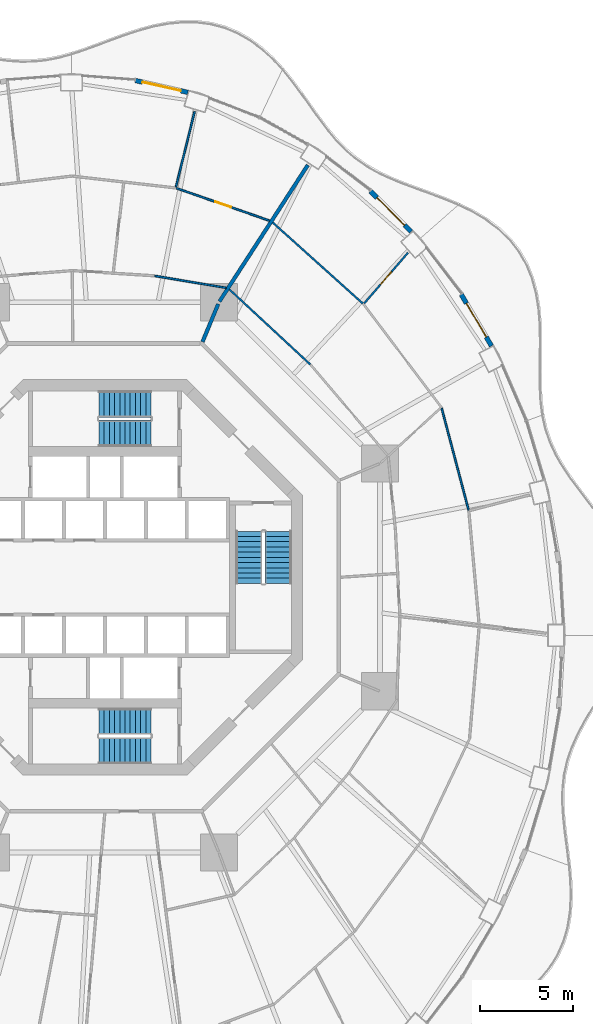
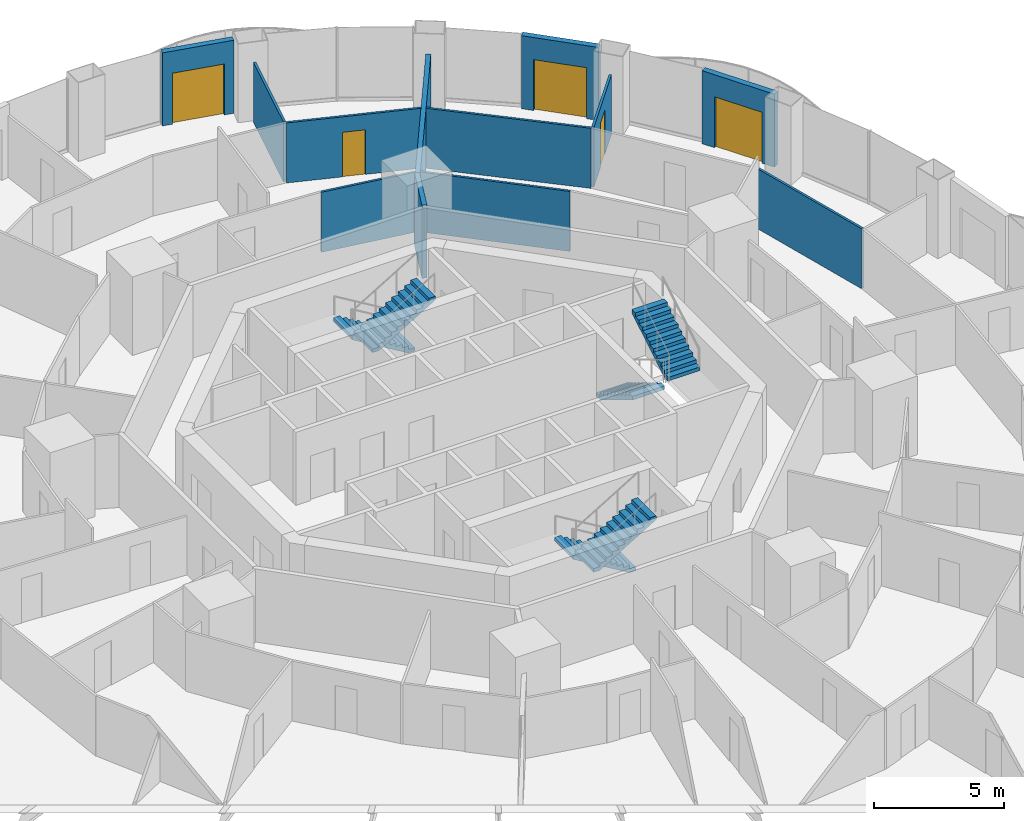
# One storey, part 17 of 20: 12 walls, 6 stair flights, 5 doors, 5 openings, 3 elements without a shape of their own.
"""IFC4 building model written with IfcOpenShell, lengths in metres."""

from ifc_helpers import new_model, si_unit, direction, frame, frame_2d, origin, place, context, subcontext, project, spatial, polyline, rectangle, outline, extrude, material, layer, layer_set, type_object, element, fill, aggregate, save


model = new_model("IFC4")

# Units and contexts
model_context = context("Model", 3, precision=1e-05, world=origin(), true_north=direction((0.0, 1.0)))
body_context = subcontext(model_context, "Body", "Model", "MODEL_VIEW")
ifc_project = project(units=[si_unit("LENGTHUNIT", "METRE"), si_unit("AREAUNIT", "SQUARE_METRE"), si_unit("VOLUMEUNIT", "CUBIC_METRE"), si_unit("PLANEANGLEUNIT", "RADIAN"), si_unit("MASSUNIT", "GRAM", prefix="KILO")], contexts=[model_context])

# Site, building, storey
site_placement = place(None, origin())
site = spatial("IfcSite", under=ifc_project, at=site_placement, CompositionType="ELEMENT")
building_placement = place(site_placement, origin())
building = spatial("IfcBuilding", under=site, at=building_placement, Name="Nagisa Residences", CompositionType="ELEMENT")
storey_placement = place(building_placement, frame((0.0, 0.0, 145.5)))
storey = spatial("IfcBuildingStorey", under=building, at=storey_placement, Name="L36", CompositionType="ELEMENT", Elevation=145.5)

# Walls
ifc_material_1 = material(Name="Gypsum board on steel studs", Category="steel")
ifc_layer_1 = layer(ifc_material_1, 0.199951171875)
ifc_layer_set_1 = layer_set([ifc_layer_1], Name="Apartment compartment wall EI60 200")
wall_type_1 = type_object("IfcWallType", Name="Apartment compartment wall EI60 200", PredefinedType="PARTITIONING", material=ifc_layer_set_1)
wall_1_placement = place(storey_placement, frame((5.24267578125, 12.6572265625, 0.0), z_axis=(0.0, 0.0, 1.0), x_axis=(0.38273085373, 0.923859888513, 0.0)))
element("IfcWall", 1, at=wall_1_placement, inside=storey, type_object=wall_type_1, Name="wall:L36:u00", PredefinedType="PARTITIONING", context=body_context, shape_type="SweptSolid", body=[
    extrude(rectangle(XDim=2.199462890625, YDim=0.199951171875, at=frame_2d((1.099609375, 0.0))), origin(), (0.0, 0.0, 1.0), 3.43994140625),
])
wall_2_placement = place(storey_placement, frame((6.150146484375, 14.823974609375, 0.0), z_axis=(0.0, 0.0, 1.0), x_axis=(0.543695254109, 0.839282711998, 0.0)))
element("IfcWall", 2, at=wall_2_placement, inside=storey, type_object=wall_type_1, Name="wall:L36:u01", PredefinedType="PARTITIONING", context=body_context, shape_type="SweptSolid", body=[
    extrude(rectangle(XDim=8.731201171875, YDim=0.199951171875, at=frame_2d((4.36572265625, 0.0))), origin(), (0.0, 0.0, 1.0), 2.827880859375),
])
ifc_material_2 = material(Name="Gypsum board on steel studs", Category="steel")
ifc_layer_2 = layer(ifc_material_2, 0.10009765625)
ifc_layer_set_2 = layer_set([ifc_layer_2], Name="Apartment partition 100")
wall_type_2 = type_object("IfcWallType", Name="Apartment partition 100", PredefinedType="PARTITIONING", material=ifc_layer_set_2)
wall_3_placement = place(storey_placement, frame((19.536865234375, 3.619873046875, 0.0), z_axis=(0.0, 0.0, 1.0), x_axis=(-0.255892560316, 0.966705227862, 0.0)))
element("IfcWall", 3, at=wall_3_placement, inside=storey, type_object=wall_type_2, Name="wall:L36:u20", PredefinedType="PARTITIONING", context=body_context, shape_type="SweptSolid", body=[
    extrude(rectangle(XDim=5.65869140625, YDim=0.10009765625, at=frame_2d((2.829345703125, 0.0))), origin(), (0.0, 0.0, 1.0), 2.827880859375),
])
wall_4_placement = place(storey_placement, frame((11.029052734375, 11.44287109375, 0.0), z_axis=(0.0, 0.0, 1.0), x_axis=(-0.733113447346, 0.680106369122, 0.0)))
element("IfcWall", 4, at=wall_4_placement, inside=storey, type_object=wall_type_2, Name="wall:L36:u25", PredefinedType="PARTITIONING", context=body_context, shape_type="SweptSolid", body=[
    extrude(rectangle(XDim=5.923095703125, YDim=0.10009765625, at=frame_2d((2.96142578125, 0.0))), origin(), (0.0, 0.0, 1.0), 2.827880859375),
])

# Wall, opening, door
wall_5_placement = place(storey_placement, frame((13.926025390625, 14.71875, 0.0), z_axis=(0.0, 0.0, 1.0), x_axis=(0.653831857253, 0.756639876323, 0.0)))
wall_5 = element("IfcWall", 5, at=wall_5_placement, inside=storey, type_object=wall_type_2, Name="wall:L36:u26", PredefinedType="PARTITIONING", context=body_context, shape_type="SweptSolid", body=[
    extrude(rectangle(XDim=3.59765625, YDim=0.10009765625, at=frame_2d((1.798828125, 0.0))), origin(), (0.0, 0.0, 1.0), 2.827880859375),
])
opening_1_placement = place(wall_5_placement, frame((1.348876953125, 0.0, 0.0)))
opening_1 = element("IfcOpeningElement", 6, at=opening_1_placement, cuts=wall_5, Name="Opening L36-U19", PredefinedType="OPENING", context=body_context, shape_type="SweptSolid", body=[
    extrude(rectangle(XDim=0.89990234375, YDim=2.10009765625, at=frame_2d((0.449951171875, 1.050048828125))), frame((0.0, 0.06005859375, 0.0), z_axis=(0.0, -1.0, 0.0), x_axis=(1.0, 0.0, 0.0)), (0.0, 0.0, 1.0), 0.1201171875),
])
ifc_material_3 = material(Name="Timber door set", Category="wood")
door_type_1 = type_object("IfcDoorType", Name="Apartment door 900x2100", OperationType="NOTDEFINED", PredefinedType="DOOR", material=ifc_material_3)
door_1_placement = place(opening_1_placement, origin())
door_1 = element("IfcDoor", 7, at=door_1_placement, inside=storey, type_object=door_type_1, Name="Door to bedroom, Apartment 36A", OperationType="SINGLE_SWING_LEFT", OverallHeight=2.10009765625, OverallWidth=0.89990234375, PredefinedType="DOOR", context=body_context, shape_type="SweptSolid", body=[
    extrude(rectangle(XDim=0.89990234375, YDim=2.10009765625, at=frame_2d((0.449951171875, 1.050048828125))), frame((0.0, 0.02490234375, 0.0), z_axis=(0.0, -1.0, 0.0), x_axis=(1.0, 0.0, 0.0)), (0.0, 0.0, 1.0), 0.050048828125),
])
fill(opening_1, door_1)

# Walls
wall_6_placement = place(storey_placement, frame((13.856201171875, 14.71435546875, 0.0), z_axis=(0.0, 0.0, 1.0), x_axis=(-0.743799395746, 0.668402916577, 0.0)))
element("IfcWall", 8, at=wall_6_placement, inside=storey, type_object=wall_type_2, Name="wall:L36:u27", PredefinedType="PARTITIONING", context=body_context, shape_type="SweptSolid", body=[
    extrude(rectangle(XDim=6.508544921875, YDim=0.10009765625, at=frame_2d((3.25439453125, 0.0))), origin(), (0.0, 0.0, 1.0), 2.827880859375),
])
wall_7_placement = place(storey_placement, frame((6.5146484375, 15.5556640625, 0.0), z_axis=(0.0, 0.0, 1.0), x_axis=(-0.986271328884, 0.16513287323, 0.0)))
element("IfcWall", 9, at=wall_7_placement, inside=storey, type_object=wall_type_2, Name="wall:L36:u28", PredefinedType="PARTITIONING", context=body_context, shape_type="SweptSolid", body=[
    extrude(rectangle(XDim=3.8837890625, YDim=0.10009765625, at=frame_2d((1.94189453125, 0.0))), origin(), (0.0, 0.0, 1.0), 2.827880859375),
])

# Wall, opening, door
wall_8_placement = place(storey_placement, frame((8.84619140625, 19.16455078125, 0.0), z_axis=(0.0, 0.0, 1.0), x_axis=(-0.944186503813, 0.329411362915, 0.0)))
wall_8 = element("IfcWall", 10, at=wall_8_placement, inside=storey, type_object=wall_type_2, Name="wall:L36:u29", PredefinedType="PARTITIONING", context=body_context, shape_type="SweptSolid", body=[
    extrude(rectangle(XDim=5.293212890625, YDim=0.10009765625, at=frame_2d((2.646484375, 0.0))), origin(), (0.0, 0.0, 1.0), 2.827880859375),
])
opening_2_placement = place(wall_8_placement, frame((2.196533203125, 0.0, 0.0)))
opening_2 = element("IfcOpeningElement", 11, at=opening_2_placement, cuts=wall_8, Name="Opening L36-U48", PredefinedType="OPENING", context=body_context, shape_type="SweptSolid", body=[
    extrude(rectangle(XDim=0.89990234375, YDim=2.10009765625, at=frame_2d((0.449951171875, 1.050048828125))), frame((0.0, 0.06005859375, 0.0), z_axis=(0.0, -1.0, 0.0), x_axis=(1.0, 0.0, 0.0)), (0.0, 0.0, 1.0), 0.1201171875),
])
door_2_placement = place(opening_2_placement, frame((0.89990234375, 0.0, 0.0), x_axis=(-1.0, 0.0, 0.0)))
door_2 = element("IfcDoor", 12, at=door_2_placement, inside=storey, type_object=door_type_1, Name="Door to tatami room, Apartment 36B", OperationType="SINGLE_SWING_LEFT", OverallHeight=2.10009765625, OverallWidth=0.89990234375, PredefinedType="DOOR", context=body_context, shape_type="SweptSolid", body=[
    extrude(rectangle(XDim=0.89990234375, YDim=2.10009765625, at=frame_2d((0.449951171875, 1.050048828125))), frame((0.0, 0.02490234375, 0.0), z_axis=(0.0, -1.0, 0.0), x_axis=(1.0, 0.0, 0.0)), (0.0, 0.0, 1.0), 0.050048828125),
])
fill(opening_2, door_2)

# Wall
wall_9_placement = place(storey_placement, frame((3.813232421875, 20.97314453125, 0.0), z_axis=(0.0, 0.0, 1.0), x_axis=(0.239977551632, 0.970778437499, 0.0)))
element("IfcWall", 13, at=wall_9_placement, inside=storey, type_object=wall_type_2, Name="wall:L36:u31", PredefinedType="PARTITIONING", context=body_context, shape_type="SweptSolid", body=[
    extrude(rectangle(XDim=4.17822265625, YDim=0.10009765625, at=frame_2d((2.089111328125, 0.0))), origin(), (0.0, 0.0, 1.0), 2.827880859375),
])

# Wall, opening, door
ifc_material_4 = material(Name="Precast concrete C40/50", Category="concrete")
ifc_layer_3 = layer(ifc_material_4, 0.25)
ifc_layer_set_3 = layer_set([ifc_layer_3], Name="BALCONY DOOR WALL 250")
wall_type_3 = type_object("IfcWallType", Name="BALCONY DOOR WALL 250", PredefinedType="SOLIDWALL", material=ifc_layer_set_3)
wall_10_placement = place(storey_placement, frame((19.143798828125, 15.20068359375, 0.0), z_axis=(0.0, 0.0, 1.0), x_axis=(0.506314982873, -0.862348617508, 0.0)))
wall_10 = element("IfcWall", 14, at=wall_10_placement, inside=storey, type_object=wall_type_3, Name="wall:L36:bay04", PredefinedType="SOLIDWALL", context=body_context, shape_type="SweptSolid", body=[
    extrude(rectangle(XDim=3.20849609375, YDim=0.25, at=frame_2d((1.604248046875, 0.0))), origin(), (0.0, 0.0, 1.0), 3.43994140625),
])
opening_3_placement = place(wall_10_placement, frame((0.55419921875, 0.0, 0.0)))
opening_3 = element("IfcOpeningElement", 15, at=opening_3_placement, cuts=wall_10, Name="Opening BD-L36-02", PredefinedType="OPENING", context=body_context, shape_type="SweptSolid", body=[
    extrude(rectangle(XDim=2.10009765625, YDim=2.39990234375, at=frame_2d((1.050048828125, 1.199951171875))), frame((0.0, 0.135009765625, 0.0), z_axis=(0.0, -1.0, 0.0), x_axis=(1.0, 0.0, 0.0)), (0.0, 0.0, 1.0), 0.27001953125),
])
ifc_material_5 = material(Name="Aluminium and clear glass", Category="aluminium")
door_type_2 = type_object("IfcDoorType", Name="BALCONY SLIDING DOOR 2100x2400", OperationType="SLIDING_TO_LEFT", PredefinedType="DOOR", material=ifc_material_5)
door_3_placement = place(opening_3_placement, origin())
door_3 = element("IfcDoor", 16, at=door_3_placement, inside=storey, type_object=door_type_2, Name="door:L36:bay04", OperationType="SLIDING_TO_LEFT", OverallHeight=2.39990234375, OverallWidth=2.10009765625, PredefinedType="DOOR", context=body_context, shape_type="SweptSolid", body=[
    extrude(rectangle(XDim=2.10009765625, YDim=2.39990234375, at=frame_2d((1.050048828125, 1.199951171875))), frame((0.0, 0.02490234375, 0.0), z_axis=(0.0, -1.0, 0.0), x_axis=(1.0, 0.0, 0.0)), (0.0, 0.0, 1.0), 0.050048828125),
])
fill(opening_3, door_3)

wall_11_placement = place(storey_placement, frame((14.26513671875, 20.7490234375, 0.0), z_axis=(0.0, 0.0, 1.0), x_axis=(0.70789728551, -0.706315392135, 0.0)))
wall_11 = element("IfcWall", 17, at=wall_11_placement, inside=storey, type_object=wall_type_3, Name="wall:L36:bay06", PredefinedType="SOLIDWALL", context=body_context, shape_type="SweptSolid", body=[
    extrude(rectangle(XDim=3.086669921875, YDim=0.25, at=frame_2d((1.54345703125, 0.0))), origin(), (0.0, 0.0, 1.0), 3.43994140625),
])
opening_4_placement = place(wall_11_placement, frame((0.493408203125, 0.0, 0.0)))
opening_4 = element("IfcOpeningElement", 18, at=opening_4_placement, cuts=wall_11, Name="Opening BD-L36-03", PredefinedType="OPENING", context=body_context, shape_type="SweptSolid", body=[
    extrude(rectangle(XDim=2.10009765625, YDim=2.39990234375, at=frame_2d((1.050048828125, 1.199951171875))), frame((0.0, 0.135009765625, 0.0), z_axis=(0.0, -1.0, 0.0), x_axis=(1.0, 0.0, 0.0)), (0.0, 0.0, 1.0), 0.27001953125),
])
door_4_placement = place(opening_4_placement, origin())
door_4 = element("IfcDoor", 19, at=door_4_placement, inside=storey, type_object=door_type_2, Name="door:L36:bay06", OperationType="SLIDING_TO_LEFT", OverallHeight=2.39990234375, OverallWidth=2.10009765625, PredefinedType="DOOR", context=body_context, shape_type="SweptSolid", body=[
    extrude(rectangle(XDim=2.10009765625, YDim=2.39990234375, at=frame_2d((1.050048828125, 1.199951171875))), frame((0.0, 0.02490234375, 0.0), z_axis=(0.0, -1.0, 0.0), x_axis=(1.0, 0.0, 0.0)), (0.0, 0.0, 1.0), 0.050048828125),
])
fill(opening_4, door_4)

wall_12_placement = place(storey_placement, frame((1.635986328125, 26.697021484375, 0.0), z_axis=(0.0, 0.0, 1.0), x_axis=(0.975339035722, -0.220711951186, 0.0)))
wall_12 = element("IfcWall", 20, at=wall_12_placement, inside=storey, type_object=wall_type_3, Name="wall:L36:bay10", PredefinedType="SOLIDWALL", context=body_context, shape_type="SweptSolid", body=[
    extrude(rectangle(XDim=2.890380859375, YDim=0.25, at=frame_2d((1.4453125, 0.0))), origin(), (0.0, 0.0, 1.0), 3.43994140625),
])
opening_5_placement = place(wall_12_placement, frame((0.395263671875, 0.0, 0.0)))
opening_5 = element("IfcOpeningElement", 21, at=opening_5_placement, cuts=wall_12, Name="Opening BD-L36-04", PredefinedType="OPENING", context=body_context, shape_type="SweptSolid", body=[
    extrude(rectangle(XDim=2.10009765625, YDim=2.39990234375, at=frame_2d((1.050048828125, 1.199951171875))), frame((0.0, 0.135009765625, 0.0), z_axis=(0.0, -1.0, 0.0), x_axis=(1.0, 0.0, 0.0)), (0.0, 0.0, 1.0), 0.27001953125),
])
door_5_placement = place(opening_5_placement, origin())
door_5 = element("IfcDoor", 22, at=door_5_placement, inside=storey, type_object=door_type_2, Name="door:L36:bay10", OperationType="SLIDING_TO_LEFT", OverallHeight=2.39990234375, OverallWidth=2.10009765625, PredefinedType="DOOR", context=body_context, shape_type="SweptSolid", body=[
    extrude(rectangle(XDim=2.10009765625, YDim=2.39990234375, at=frame_2d((1.050048828125, 1.199951171875))), frame((0.0, 0.02490234375, 0.0), z_axis=(0.0, -1.0, 0.0), x_axis=(1.0, 0.0, 0.0)), (0.0, 0.0, 1.0), 0.050048828125),
])
fill(opening_5, door_5)

# Stair, stair flights
ifc_material_6 = material(Name="Concrete C60", Category="concrete")
stair_type = type_object("IfcStairType", Name="Exit stair", PredefinedType="HALF_TURN_STAIR", material=ifc_material_6)
stair_1_placement = place(storey_placement, origin())
stair_1 = element("IfcStair", 23, at=stair_1_placement, inside=storey, type_object=stair_type, Name="L36 Exit stair E", PredefinedType="HALF_TURN_STAIR")
ifc_material_7 = material(Name="Concrete C60", Category="concrete")
stair_flight_type = type_object("IfcStairFlightType", Name="Exit stair flight", PredefinedType="STRAIGHT", material=ifc_material_7)
stair_flight_1_placement = place(storey_placement, frame((7.737060546875, 2.47509765625, 0.0), z_axis=(0.0, 0.0, 1.0), x_axis=(0.0, -1.0, 0.0)))
stair_flight_1 = element("IfcStairFlight", 24, at=stair_flight_1_placement, type_object=stair_flight_type, Name="ST-E flight 1", NumberOfRisers=11, NumberOfTreads=10, PredefinedType="STRAIGHT", RiserHeight=0.168181818, TreadLength=0.28, context=body_context, shape_type="SweptSolid", body=[
    extrude(outline(polyline([(0.0, 0.0), (0.0, 0.168212890625), (0.280029296875, 0.168212890625), (0.280029296875, 0.33642578125), (0.56005859375, 0.33642578125), (0.56005859375, 0.504638671875), (0.840087890625, 0.504638671875), (0.840087890625, 0.672607421875), (1.1201171875, 0.672607421875), (1.1201171875, 0.8408203125), (1.39990234375, 0.8408203125), (1.39990234375, 1.009033203125), (1.679931640625, 1.009033203125), (1.679931640625, 1.17724609375), (1.9599609375, 1.17724609375), (1.9599609375, 1.345458984375), (2.239990234375, 1.345458984375), (2.239990234375, 1.513671875), (2.52001953125, 1.513671875), (2.52001953125, 1.681884765625), (2.800048828125, 1.681884765625), (2.800048828125, 1.85009765625), (2.800048828125, 1.5068359375), (0.291015625, 0.0), (0.0, 0.0)])), frame((0.0, 0.71240234375, 0.0), z_axis=(0.0, -1.0, 0.0), x_axis=(1.0, 0.0, 0.0)), (0.0, 0.0, 1.0), 1.425048828125),
])
stair_flight_2_placement = place(storey_placement, frame((9.31201171875, -0.324951171875, 1.85009765625), z_axis=(0.0, 0.0, 1.0), x_axis=(0.0, 1.0, 0.0)))
stair_flight_2 = element("IfcStairFlight", 25, at=stair_flight_2_placement, type_object=stair_flight_type, Name="ST-E flight 2", NumberOfRisers=11, NumberOfTreads=10, PredefinedType="STRAIGHT", RiserHeight=0.168181818, TreadLength=0.28, context=body_context, shape_type="SweptSolid", body=[
    extrude(outline(polyline([(0.0, 0.0), (0.0, 0.168212890625), (0.280029296875, 0.168212890625), (0.280029296875, 0.33642578125), (0.56005859375, 0.33642578125), (0.56005859375, 0.504638671875), (0.840087890625, 0.504638671875), (0.840087890625, 0.672607421875), (1.1201171875, 0.672607421875), (1.1201171875, 0.8408203125), (1.39990234375, 0.8408203125), (1.39990234375, 1.009033203125), (1.679931640625, 1.009033203125), (1.679931640625, 1.17724609375), (1.9599609375, 1.17724609375), (1.9599609375, 1.345458984375), (2.239990234375, 1.345458984375), (2.239990234375, 1.513671875), (2.52001953125, 1.513671875), (2.52001953125, 1.681884765625), (2.800048828125, 1.681884765625), (2.800048828125, 1.85009765625), (2.800048828125, 1.5068359375), (0.291015625, 0.0), (0.0, 0.0)])), frame((0.0, 0.71240234375, 0.0), z_axis=(0.0, -1.0, 0.0), x_axis=(1.0, 0.0, 0.0)), (0.0, 0.0, 1.0), 1.425048828125),
])
aggregate(stair_1, [stair_flight_1, stair_flight_2])

stair_2_placement = place(storey_placement, origin())
stair_2 = element("IfcStair", 26, at=stair_2_placement, inside=storey, type_object=stair_type, Name="L36 Exit stair N", PredefinedType="HALF_TURN_STAIR")
stair_flight_3_placement = place(storey_placement, frame((2.47509765625, 9.31201171875, 0.0), z_axis=(0.0, 0.0, 1.0), x_axis=(-1.0, 0.0, 0.0)))
stair_flight_3 = element("IfcStairFlight", 27, at=stair_flight_3_placement, type_object=stair_flight_type, Name="ST-N flight 1", NumberOfRisers=11, NumberOfTreads=10, PredefinedType="STRAIGHT", RiserHeight=0.168181818, TreadLength=0.28, context=body_context, shape_type="SweptSolid", body=[
    extrude(outline(polyline([(0.0, 0.0), (0.0, 0.168212890625), (0.280029296875, 0.168212890625), (0.280029296875, 0.33642578125), (0.56005859375, 0.33642578125), (0.56005859375, 0.504638671875), (0.840087890625, 0.504638671875), (0.840087890625, 0.672607421875), (1.1201171875, 0.672607421875), (1.1201171875, 0.8408203125), (1.39990234375, 0.8408203125), (1.39990234375, 1.009033203125), (1.679931640625, 1.009033203125), (1.679931640625, 1.17724609375), (1.9599609375, 1.17724609375), (1.9599609375, 1.345458984375), (2.239990234375, 1.345458984375), (2.239990234375, 1.513671875), (2.52001953125, 1.513671875), (2.52001953125, 1.681884765625), (2.800048828125, 1.681884765625), (2.800048828125, 1.85009765625), (2.800048828125, 1.5068359375), (0.291015625, 0.0), (0.0, 0.0)])), frame((0.0, 0.71240234375, 0.0), z_axis=(0.0, -1.0, 0.0), x_axis=(1.0, 0.0, 0.0)), (0.0, 0.0, 1.0), 1.425048828125),
])
stair_flight_4_placement = place(storey_placement, frame((-0.324951171875, 7.737060546875, 1.85009765625), z_axis=(0.0, 0.0, 1.0), x_axis=(1.0, 0.0, 0.0)))
stair_flight_4 = element("IfcStairFlight", 28, at=stair_flight_4_placement, type_object=stair_flight_type, Name="ST-N flight 2", NumberOfRisers=11, NumberOfTreads=10, PredefinedType="STRAIGHT", RiserHeight=0.168181818, TreadLength=0.28, context=body_context, shape_type="SweptSolid", body=[
    extrude(outline(polyline([(0.0, 0.0), (0.0, 0.168212890625), (0.280029296875, 0.168212890625), (0.280029296875, 0.33642578125), (0.56005859375, 0.33642578125), (0.56005859375, 0.504638671875), (0.840087890625, 0.504638671875), (0.840087890625, 0.672607421875), (1.1201171875, 0.672607421875), (1.1201171875, 0.8408203125), (1.39990234375, 0.8408203125), (1.39990234375, 1.009033203125), (1.679931640625, 1.009033203125), (1.679931640625, 1.17724609375), (1.9599609375, 1.17724609375), (1.9599609375, 1.345458984375), (2.239990234375, 1.345458984375), (2.239990234375, 1.513671875), (2.52001953125, 1.513671875), (2.52001953125, 1.681884765625), (2.800048828125, 1.681884765625), (2.800048828125, 1.85009765625), (2.800048828125, 1.5068359375), (0.291015625, 0.0), (0.0, 0.0)])), frame((0.0, 0.71240234375, 0.0), z_axis=(0.0, -1.0, 0.0), x_axis=(1.0, 0.0, 0.0)), (0.0, 0.0, 1.0), 1.425048828125),
])
aggregate(stair_2, [stair_flight_3, stair_flight_4])

stair_3_placement = place(storey_placement, origin())
stair_3 = element("IfcStair", 29, at=stair_3_placement, inside=storey, type_object=stair_type, Name="L36 Exit stair S", PredefinedType="HALF_TURN_STAIR")
stair_flight_5_placement = place(storey_placement, frame((2.47509765625, -7.737060546875, 0.0), z_axis=(0.0, 0.0, 1.0), x_axis=(-1.0, 0.0, 0.0)))
stair_flight_5 = element("IfcStairFlight", 30, at=stair_flight_5_placement, type_object=stair_flight_type, Name="ST-S flight 1", NumberOfRisers=11, NumberOfTreads=10, PredefinedType="STRAIGHT", RiserHeight=0.168181818, TreadLength=0.28, context=body_context, shape_type="SweptSolid", body=[
    extrude(outline(polyline([(0.0, 0.0), (0.0, 0.168212890625), (0.280029296875, 0.168212890625), (0.280029296875, 0.33642578125), (0.56005859375, 0.33642578125), (0.56005859375, 0.504638671875), (0.840087890625, 0.504638671875), (0.840087890625, 0.672607421875), (1.1201171875, 0.672607421875), (1.1201171875, 0.8408203125), (1.39990234375, 0.8408203125), (1.39990234375, 1.009033203125), (1.679931640625, 1.009033203125), (1.679931640625, 1.17724609375), (1.9599609375, 1.17724609375), (1.9599609375, 1.345458984375), (2.239990234375, 1.345458984375), (2.239990234375, 1.513671875), (2.52001953125, 1.513671875), (2.52001953125, 1.681884765625), (2.800048828125, 1.681884765625), (2.800048828125, 1.85009765625), (2.800048828125, 1.5068359375), (0.291015625, 0.0), (0.0, 0.0)])), frame((0.0, 0.71240234375, 0.0), z_axis=(0.0, -1.0, 0.0), x_axis=(1.0, 0.0, 0.0)), (0.0, 0.0, 1.0), 1.425048828125),
])
stair_flight_6_placement = place(storey_placement, frame((-0.324951171875, -9.31201171875, 1.85009765625), z_axis=(0.0, 0.0, 1.0), x_axis=(1.0, 0.0, 0.0)))
stair_flight_6 = element("IfcStairFlight", 31, at=stair_flight_6_placement, type_object=stair_flight_type, Name="ST-S flight 2", NumberOfRisers=11, NumberOfTreads=10, PredefinedType="STRAIGHT", RiserHeight=0.168181818, TreadLength=0.28, context=body_context, shape_type="SweptSolid", body=[
    extrude(outline(polyline([(0.0, 0.0), (0.0, 0.168212890625), (0.280029296875, 0.168212890625), (0.280029296875, 0.33642578125), (0.56005859375, 0.33642578125), (0.56005859375, 0.504638671875), (0.840087890625, 0.504638671875), (0.840087890625, 0.672607421875), (1.1201171875, 0.672607421875), (1.1201171875, 0.8408203125), (1.39990234375, 0.8408203125), (1.39990234375, 1.009033203125), (1.679931640625, 1.009033203125), (1.679931640625, 1.17724609375), (1.9599609375, 1.17724609375), (1.9599609375, 1.345458984375), (2.239990234375, 1.345458984375), (2.239990234375, 1.513671875), (2.52001953125, 1.513671875), (2.52001953125, 1.681884765625), (2.800048828125, 1.681884765625), (2.800048828125, 1.85009765625), (2.800048828125, 1.5068359375), (0.291015625, 0.0), (0.0, 0.0)])), frame((0.0, 0.71240234375, 0.0), z_axis=(0.0, -1.0, 0.0), x_axis=(1.0, 0.0, 0.0)), (0.0, 0.0, 1.0), 1.425048828125),
])
aggregate(stair_3, [stair_flight_5, stair_flight_6])

save(model, "model.ifc")
